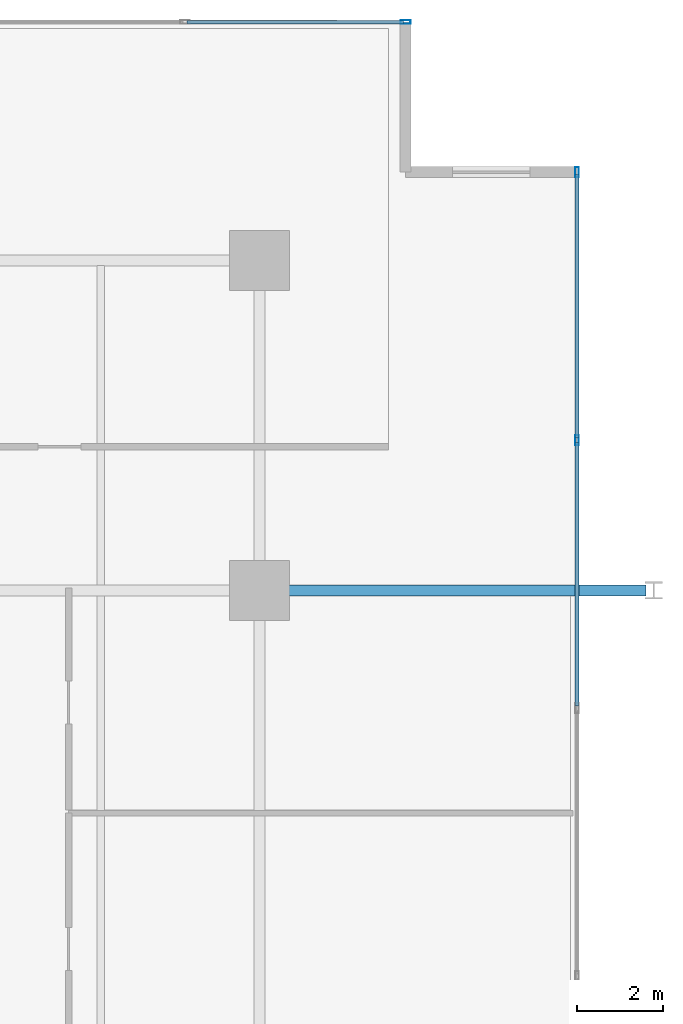
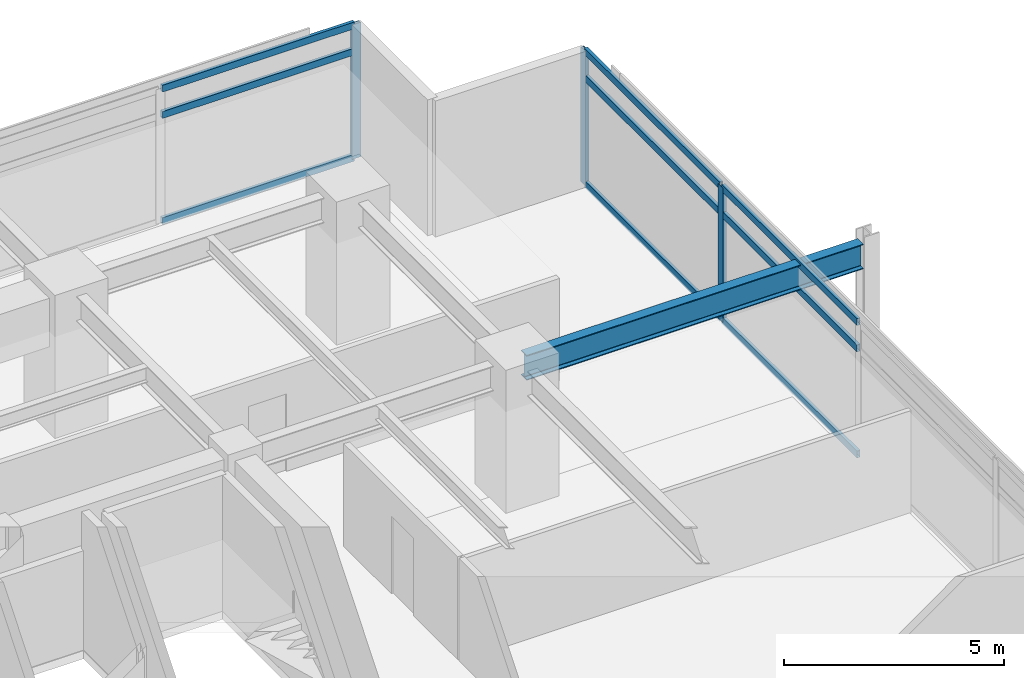
# One storey, part 12 of 22: 12 members, 1 beam, 2 elements without a shape of their own.
"""IFC4 building model written with IfcOpenShell, lengths in metres."""

from ifc_helpers import new_model, si_unit, direction, frame, origin, origin_2d, place, context, subcontext, project, spatial, hollow_rectangle, i_section, extrude, material, material_profile, profile_set, type_object, element, aggregate, save


model = new_model("IFC4")

# Units and contexts
model_context = context("Model", 3, precision=1e-05, world=origin(), true_north=direction((0.0, 1.0)))
body_context = subcontext(model_context, "Body", "Model", "MODEL_VIEW")
ifc_project = project(units=[si_unit("LENGTHUNIT", "METRE"), si_unit("AREAUNIT", "SQUARE_METRE"), si_unit("VOLUMEUNIT", "CUBIC_METRE"), si_unit("PLANEANGLEUNIT", "RADIAN"), si_unit("MASSUNIT", "GRAM", prefix="KILO")], contexts=[model_context])

# Site, building, storey
site_placement = place(None, origin())
site = spatial("IfcSite", under=ifc_project, at=site_placement, CompositionType="ELEMENT")
building_placement = place(site_placement, origin())
building = spatial("IfcBuilding", under=site, at=building_placement, Name="Kovane Verandah Tower", CompositionType="ELEMENT")
storey_placement = place(building_placement, frame((0.0, 0.0, 225.199951171875)))
storey = spatial("IfcBuildingStorey", under=building, at=storey_placement, Name="L52", CompositionType="ELEMENT", Elevation=225.199951171875)

# Beam
ifc_material_1 = material(Name="Steel S355", Category="steel")
ifc_material_profile_1 = material_profile(ifc_material_1, i_section(OverallWidth=0.255859375, OverallDepth=0.69287109375, WebThickness=0.014404296875, FlangeThickness=0.023681640625, FilletRadius=0.01513671875, at=origin_2d()), Name="UB686x254x170")
ifc_profile_set_1 = profile_set([ifc_material_profile_1], Name="Steel S355")
beam_type = type_object("IfcBeamType", Name="BM-UB686x170", PredefinedType="BEAM", material=ifc_profile_set_1)
beam_placement = place(storey_placement, frame((58.580078125, 36.5, 3.41357421875), z_axis=(1.0, 0.0, 0.0), x_axis=(0.0, 1.0, 0.0)))
element("IfcBeam", 1, at=beam_placement, inside=storey, type_object=beam_type, Name="L52 Primary Tower Girder G-VE2", PredefinedType="BEAM", context=body_context, shape_type="SweptSolid", body=[
    extrude(i_section(OverallWidth=0.255859375, OverallDepth=0.69287109375, WebThickness=0.014404296875, FlangeThickness=0.023681640625, FilletRadius=0.01513671875, at=origin_2d()), origin(), (0.0, 0.0, 1.0), 8.83984375),
])

# Curtain wall, members
ifc_material_2 = material(Name="Champagne Anodised Aluminium Frame with Low-E Clear Laminated Glass", Category="aluminium")
curtain_wall_type = type_object("IfcCurtainWallType", Name="CW-SYS-03-MID", PredefinedType="NOTDEFINED", material=ifc_material_2)
curtain_wall_1_placement = place(storey_placement, origin())
curtain_wall_1 = element("IfcCurtainWall", 2, at=curtain_wall_1_placement, inside=storey, type_object=curtain_wall_type, Name="L52 E Unitised Curtain Wall", PredefinedType="NOTDEFINED")
ifc_material_3 = material(Name="Champagne Anodised Aluminium 6063-T6", Category="aluminium")
ifc_material_profile_2 = material_profile(ifc_material_3, hollow_rectangle(XDim=0.0849609375, YDim=0.22998046875, WallThickness=0.00390625, at=origin_2d()), Name="AL85x230x4")
ifc_profile_set_2 = profile_set([ifc_material_profile_2], Name="Champagne Anodised Aluminium 6063-T6")
member_type_1 = type_object("IfcMemberType", Name="CW-MUL-85x230", PredefinedType="MULLION", material=ifc_profile_set_2)
member_1_placement = place(storey_placement, frame((65.809814453125, 40.004150390625, 0.02001953125), z_axis=(0.0, 0.0, 1.0), x_axis=(1.0, 0.0, 0.0)))
member_1 = element("IfcMember", 3, at=member_1_placement, type_object=member_type_1, Name="L52 E Unitised Curtain Wall Mullion 6", PredefinedType="MULLION", context=body_context, shape_type="SweptSolid", body=[
    extrude(hollow_rectangle(XDim=0.0849609375, YDim=0.22998046875, WallThickness=0.00390625, at=origin_2d()), origin(), (0.0, 0.0, 1.0), 3.735107421875),
])
member_2_placement = place(storey_placement, frame((65.809814453125, 46.25634765625, 0.02001953125), z_axis=(0.0, 0.0, 1.0), x_axis=(1.0, 0.0, 0.0)))
member_2 = element("IfcMember", 4, at=member_2_placement, type_object=member_type_1, Name="L52 E Unitised Curtain Wall Mullion 7", PredefinedType="MULLION", context=body_context, shape_type="SweptSolid", body=[
    extrude(hollow_rectangle(XDim=0.0849609375, YDim=0.22998046875, WallThickness=0.00390625, at=origin_2d()), origin(), (0.0, 0.0, 1.0), 3.735107421875),
])

# Curtain wall, member
curtain_wall_2_placement = place(storey_placement, origin())
curtain_wall_2 = element("IfcCurtainWall", 5, at=curtain_wall_2_placement, inside=storey, type_object=curtain_wall_type, Name="L52 N Unitised Curtain Wall-1", PredefinedType="NOTDEFINED")
member_3_placement = place(storey_placement, frame((61.809814453125, 49.75634765625, 0.02001953125), z_axis=(0.0, 0.0, 1.0), x_axis=(0.0, 1.0, 0.0)))
member_3 = element("IfcMember", 6, at=member_3_placement, type_object=member_type_1, Name="L52 N Unitised Curtain Wall-1 Mullion 1", PredefinedType="MULLION", context=body_context, shape_type="SweptSolid", body=[
    extrude(hollow_rectangle(XDim=0.0849609375, YDim=0.22998046875, WallThickness=0.00390625, at=origin_2d()), origin(), (0.0, 0.0, 1.0), 3.735107421875),
])

# Member
ifc_material_profile_3 = material_profile(ifc_material_3, hollow_rectangle(XDim=0.0849609375, YDim=0.18994140625, WallThickness=0.00390625, at=origin_2d()), Name="AL85x190x4")
ifc_profile_set_3 = profile_set([ifc_material_profile_3], Name="Champagne Anodised Aluminium 6063-T6")
member_type_2 = type_object("IfcMemberType", Name="CW-TRN-85x190", PredefinedType="USERDEFINED", material=ifc_profile_set_3)
member_4_placement = place(storey_placement, frame((65.809814453125, 33.802001953125, 0.050048828125), z_axis=(0.0, 1.0, 0.0), x_axis=(-1.0, 0.0, 0.0)))
member_4 = element("IfcMember", 7, at=member_4_placement, type_object=member_type_2, Name="L52 E Unitised Curtain Wall Transom TB Bay 5", ObjectType="TRANSOM", PredefinedType="USERDEFINED", context=body_context, shape_type="SweptSolid", body=[
    extrude(hollow_rectangle(XDim=0.0849609375, YDim=0.18994140625, WallThickness=0.00390625, at=origin_2d()), origin(), (0.0, 0.0, 1.0), 6.152099609375),
])

member_5_placement = place(storey_placement, frame((65.809814453125, 33.802001953125, 2.9951171875), z_axis=(0.0, 1.0, 0.0), x_axis=(-1.0, 0.0, 0.0)))
member_5 = element("IfcMember", 8, at=member_5_placement, type_object=member_type_2, Name="L52 E Unitised Curtain Wall Transom TM Bay 5", ObjectType="TRANSOM", PredefinedType="USERDEFINED", context=body_context, shape_type="SweptSolid", body=[
    extrude(hollow_rectangle(XDim=0.0849609375, YDim=0.18994140625, WallThickness=0.00390625, at=origin_2d()), origin(), (0.0, 0.0, 1.0), 6.152099609375),
])

member_6_placement = place(storey_placement, frame((65.809814453125, 33.802001953125, 3.72509765625), z_axis=(0.0, 1.0, 0.0), x_axis=(-1.0, 0.0, 0.0)))
member_6 = element("IfcMember", 9, at=member_6_placement, type_object=member_type_2, Name="L52 E Unitised Curtain Wall Transom TT Bay 5", ObjectType="TRANSOM", PredefinedType="USERDEFINED", context=body_context, shape_type="SweptSolid", body=[
    extrude(hollow_rectangle(XDim=0.0849609375, YDim=0.18994140625, WallThickness=0.00390625, at=origin_2d()), origin(), (0.0, 0.0, 1.0), 6.152099609375),
])

member_7_placement = place(storey_placement, frame((65.809814453125, 40.05419921875, 0.050048828125), z_axis=(0.0, 1.0, 0.0), x_axis=(-1.0, 0.0, 0.0)))
member_7 = element("IfcMember", 10, at=member_7_placement, type_object=member_type_2, Name="L52 E Unitised Curtain Wall Transom TB Bay 6", ObjectType="TRANSOM", PredefinedType="USERDEFINED", context=body_context, shape_type="SweptSolid", body=[
    extrude(hollow_rectangle(XDim=0.0849609375, YDim=0.18994140625, WallThickness=0.00390625, at=origin_2d()), origin(), (0.0, 0.0, 1.0), 6.152099609375),
])

member_8_placement = place(storey_placement, frame((65.809814453125, 40.05419921875, 2.9951171875), z_axis=(0.0, 1.0, 0.0), x_axis=(-1.0, 0.0, 0.0)))
member_8 = element("IfcMember", 11, at=member_8_placement, type_object=member_type_2, Name="L52 E Unitised Curtain Wall Transom TM Bay 6", ObjectType="TRANSOM", PredefinedType="USERDEFINED", context=body_context, shape_type="SweptSolid", body=[
    extrude(hollow_rectangle(XDim=0.0849609375, YDim=0.18994140625, WallThickness=0.00390625, at=origin_2d()), origin(), (0.0, 0.0, 1.0), 6.152099609375),
])

member_9_placement = place(storey_placement, frame((65.809814453125, 40.05419921875, 3.72509765625), z_axis=(0.0, 1.0, 0.0), x_axis=(-1.0, 0.0, 0.0)))
member_9 = element("IfcMember", 12, at=member_9_placement, type_object=member_type_2, Name="L52 E Unitised Curtain Wall Transom TT Bay 6", ObjectType="TRANSOM", PredefinedType="USERDEFINED", context=body_context, shape_type="SweptSolid", body=[
    extrude(hollow_rectangle(XDim=0.0849609375, YDim=0.18994140625, WallThickness=0.00390625, at=origin_2d()), origin(), (0.0, 0.0, 1.0), 6.152099609375),
])

aggregate(curtain_wall_1, [member_1, member_2, member_4, member_5, member_6, member_7, member_8, member_9])

member_10_placement = place(storey_placement, frame((61.759765625, 49.75634765625, 0.050048828125), z_axis=(-1.0, 0.0, 0.0), x_axis=(0.0, -1.0, 0.0)))
member_10 = element("IfcMember", 13, at=member_10_placement, type_object=member_type_2, Name="L52 N Unitised Curtain Wall-1 Transom TB Bay 1", ObjectType="TRANSOM", PredefinedType="USERDEFINED", context=body_context, shape_type="SweptSolid", body=[
    extrude(hollow_rectangle(XDim=0.0849609375, YDim=0.18994140625, WallThickness=0.00390625, at=origin_2d()), origin(), (0.0, 0.0, 1.0), 5.044921875),
])

member_11_placement = place(storey_placement, frame((61.759765625, 49.75634765625, 2.9951171875), z_axis=(-1.0, 0.0, 0.0), x_axis=(0.0, -1.0, 0.0)))
member_11 = element("IfcMember", 14, at=member_11_placement, type_object=member_type_2, Name="L52 N Unitised Curtain Wall-1 Transom TM Bay 1", ObjectType="TRANSOM", PredefinedType="USERDEFINED", context=body_context, shape_type="SweptSolid", body=[
    extrude(hollow_rectangle(XDim=0.0849609375, YDim=0.18994140625, WallThickness=0.00390625, at=origin_2d()), origin(), (0.0, 0.0, 1.0), 5.044921875),
])

member_12_placement = place(storey_placement, frame((61.759765625, 49.75634765625, 3.72509765625), z_axis=(-1.0, 0.0, 0.0), x_axis=(0.0, -1.0, 0.0)))
member_12 = element("IfcMember", 15, at=member_12_placement, type_object=member_type_2, Name="L52 N Unitised Curtain Wall-1 Transom TT Bay 1", ObjectType="TRANSOM", PredefinedType="USERDEFINED", context=body_context, shape_type="SweptSolid", body=[
    extrude(hollow_rectangle(XDim=0.0849609375, YDim=0.18994140625, WallThickness=0.00390625, at=origin_2d()), origin(), (0.0, 0.0, 1.0), 5.044921875),
])

aggregate(curtain_wall_2, [member_3, member_10, member_11, member_12])

save(model, "model.ifc")
